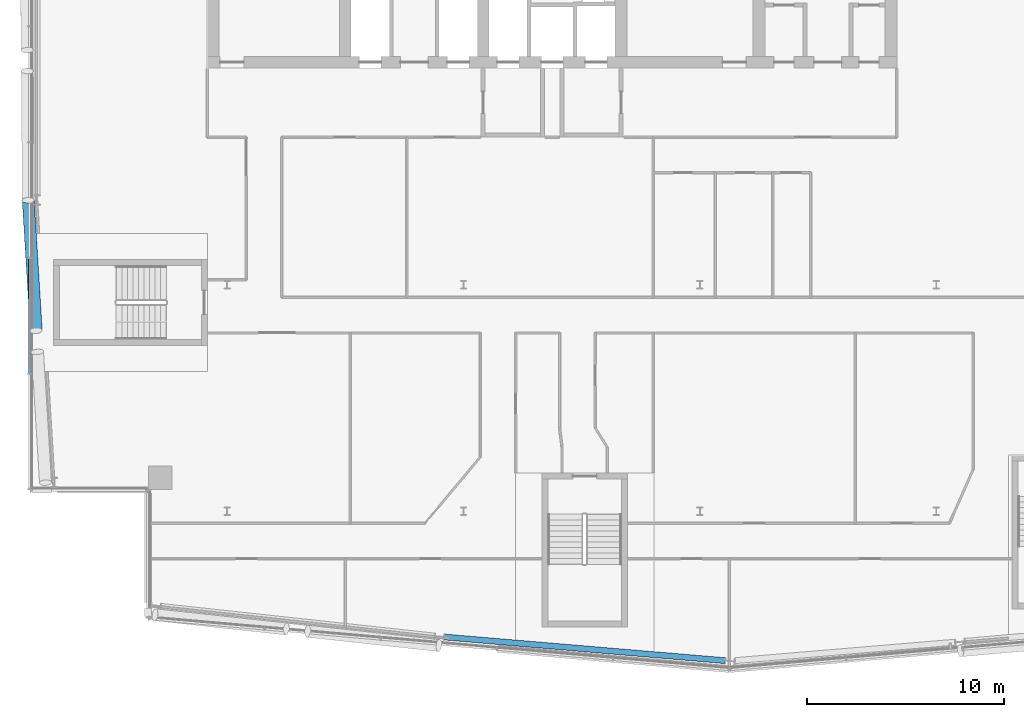
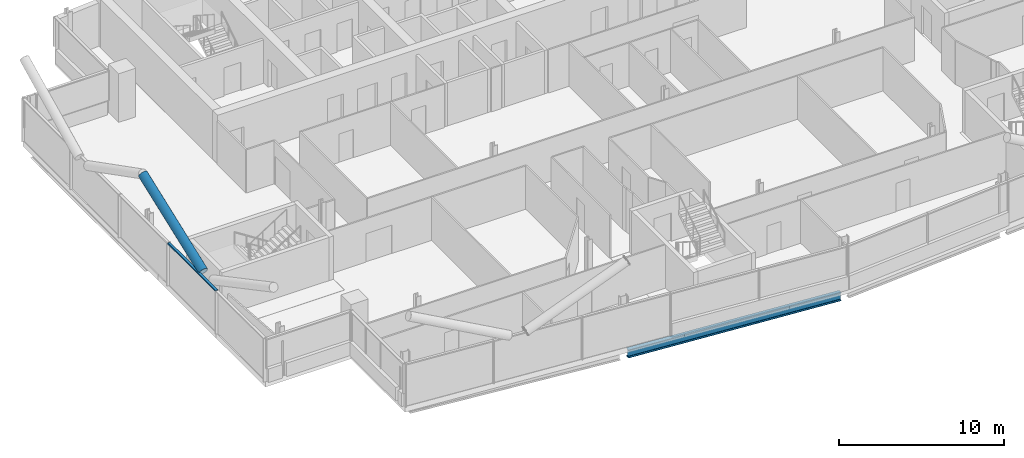
# One storey, part 6 of 27: 2 members, 1 beam, 1 element without a shape of its own.
"""IFC4 building model written with IfcOpenShell, lengths in metres."""

from ifc_helpers import new_model, si_unit, direction, frame, origin, origin_2d, place, context, subcontext, project, spatial, rectangle, hollow_circle, i_section, extrude, material, material_profile, profile_set, type_object, element, aggregate, save


model = new_model("IFC4")

# Units and contexts
model_context = context("Model", 3, precision=1e-05, world=origin(), true_north=direction((0.0, 1.0)))
body_context = subcontext(model_context, "Body", "Model", "MODEL_VIEW")
ifc_project = project(units=[si_unit("LENGTHUNIT", "METRE"), si_unit("AREAUNIT", "SQUARE_METRE"), si_unit("VOLUMEUNIT", "CUBIC_METRE"), si_unit("PLANEANGLEUNIT", "RADIAN"), si_unit("MASSUNIT", "GRAM", prefix="KILO")], contexts=[model_context])

# Site, building, storey
site_placement = place(None, origin())
site = spatial("IfcSite", under=ifc_project, at=site_placement, CompositionType="ELEMENT")
building_placement = place(site_placement, origin())
building = spatial("IfcBuilding", under=site, at=building_placement, Name="Wharfspan Tower", CompositionType="ELEMENT")
storey_placement = place(building_placement, frame((0.0, 0.0, 243.100098)))
storey = spatial("IfcBuildingStorey", under=building, at=storey_placement, Name="L61", CompositionType="ELEMENT", Elevation=243.100098)

# Beam
ifc_material_1 = material(Name="Steel S355J2", Category="steel")
ifc_material_profile_1 = material_profile(ifc_material_1, i_section(OverallWidth=0.300049, OverallDepth=0.600098, WebThickness=0.015381, FlangeThickness=0.030029, FilletRadius=0.0271, at=origin_2d()))
ifc_profile_set_1 = profile_set([ifc_material_profile_1], Name="Steel S355J2")
beam_type = type_object("IfcBeamType", Name="Edge beam HEB 600", PredefinedType="SPANDREL", material=ifc_profile_set_1)
beam_placement = place(storey_placement, frame((35.038574, 5.121582, -0.700195), z_axis=(0.996473, -0.083909, 0.0), x_axis=(0.083909, 0.996473, 0.0)))
element("IfcBeam", 1, at=beam_placement, inside=storey, type_object=beam_type, Name="Edge beam S1 L61 PS1.2 to PS1.3", PredefinedType="SPANDREL", context=body_context, shape_type="SweptSolid", body=[
    extrude(i_section(OverallWidth=0.300049, OverallDepth=0.600098, WebThickness=0.015381, FlangeThickness=0.030029, FilletRadius=0.0271, at=origin_2d()), origin(), (0.0, 0.0, 1.0), 14.277344),
])

# Member
ifc_material_2 = material(Name="Steel S460NH", Category="steel")
ifc_material_profile_2 = material_profile(ifc_material_2, hollow_circle(Radius=0.304932, WallThickness=0.024902, at=origin_2d()))
ifc_profile_set_2 = profile_set([ifc_material_profile_2], Name="Steel S460NH")
member_type_1 = type_object("IfcMemberType", Name="Mega brace CHS 610x25", PredefinedType="BRACE", material=ifc_profile_set_2)
member_1_placement = place(storey_placement, frame((14.310791, 20.670654, 3.170654), z_axis=(-0.054615, 0.892302, 0.448123), x_axis=(-0.998132, -0.061091, -3e-06)))
element("IfcMember", 2, at=member_1_placement, inside=storey, type_object=member_type_1, Name="Mega brace W4 L61 part 4", PredefinedType="BRACE", context=body_context, shape_type="SweptSolid", body=[
    extrude(hollow_circle(Radius=0.304932, WallThickness=0.024902, at=origin_2d()), origin(), (0.0, 0.0, 1.0), 7.429443),
])

# Curtain wall, member
ifc_material_3 = material(Name="Aluminium 6063-T6", Category="aluminium")
curtain_wall_type = type_object("IfcCurtainWallType", Name="CURTAIN WALL PROW AND END", PredefinedType="NOTDEFINED", material=ifc_material_3)
curtain_wall_placement = place(storey_placement, origin())
curtain_wall = element("IfcCurtainWall", 3, at=curtain_wall_placement, inside=storey, type_object=curtain_wall_type, Name="Curtain wall W", PredefinedType="NOTDEFINED")
ifc_material_profile_3 = material_profile(ifc_material_3, rectangle(XDim=0.179932, YDim=0.080078, at=origin_2d()))
ifc_profile_set_3 = profile_set([ifc_material_profile_3], Name="Aluminium 6063-T6")
member_type_2 = type_object("IfcMemberType", Name="TRANSOM PROW AND END 80x180", PredefinedType="USERDEFINED", material=ifc_profile_set_3)
member_2_placement = place(storey_placement, frame((14.0, 24.330078, 3.159912), z_axis=(0.0, -1.0, 0.0), x_axis=(1.0, 0.0, 0.0)))
member_2 = element("IfcMember", 4, at=member_2_placement, type_object=member_type_2, Name="Curtain wall W transom 4", ObjectType="TRANSOM", PredefinedType="USERDEFINED", context=body_context, shape_type="SweptSolid", body=[
    extrude(rectangle(XDim=0.179932, YDim=0.080078, at=origin_2d()), origin(), (0.0, 0.0, 1.0), 5.820068),
])
aggregate(curtain_wall, [member_2])

save(model, "model.ifc")
